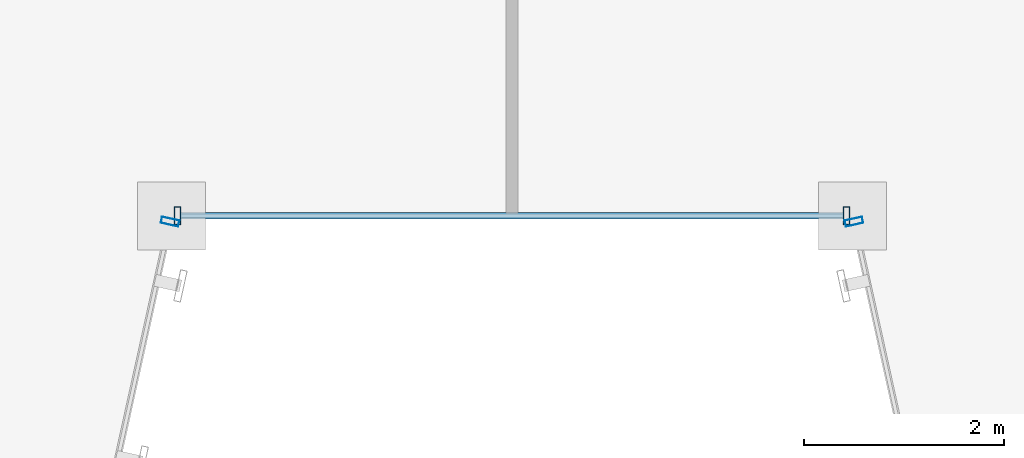
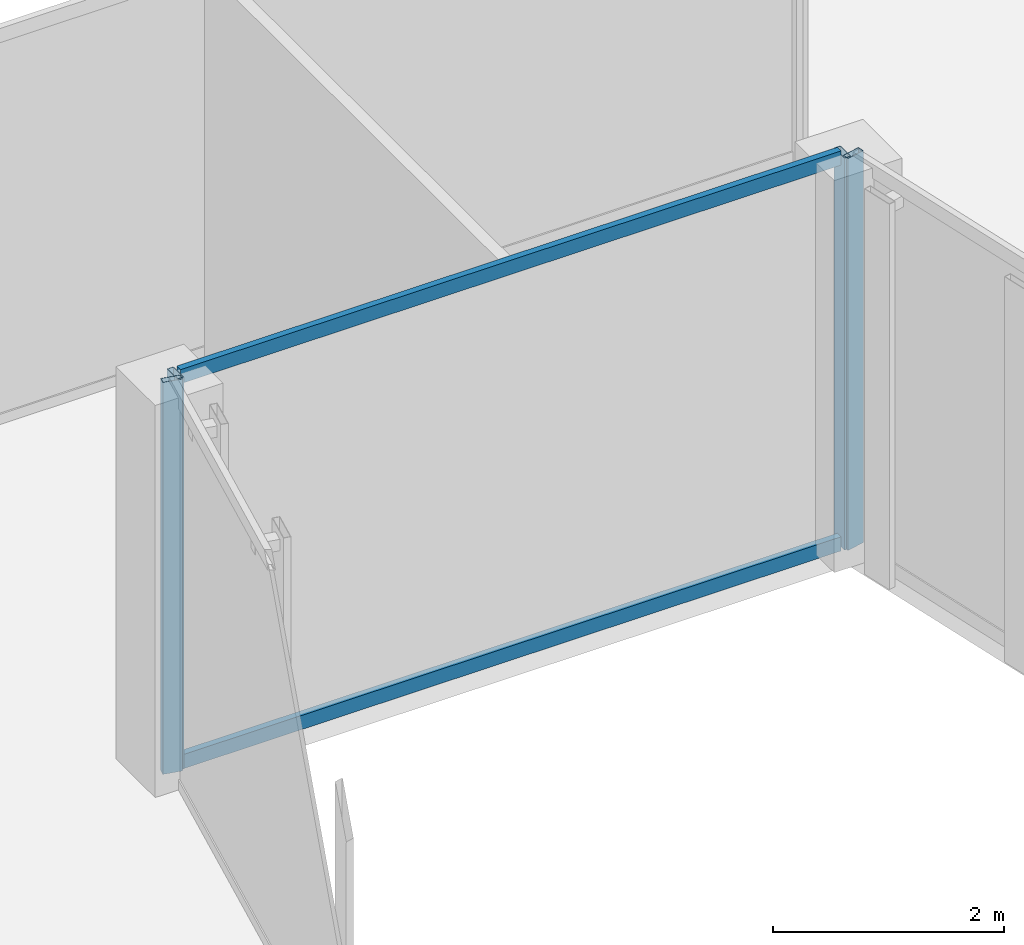
# One storey, part 9 of 47: 6 members, 3 elements without a shape of their own.
"""IFC4 building model written with IfcOpenShell, lengths in metres."""

from ifc_helpers import new_model, si_unit, direction, frame, origin, origin_2d, place, context, subcontext, project, spatial, hollow_rectangle, extrude, material, material_profile, profile_set, type_object, element, aggregate, save


model = new_model("IFC4")

# Units and contexts
model_context = context("Model", 3, precision=1e-05, world=origin(), true_north=direction((0.0, 1.0)))
body_context = subcontext(model_context, "Body", "Model", "MODEL_VIEW")
ifc_project = project(units=[si_unit("LENGTHUNIT", "METRE"), si_unit("AREAUNIT", "SQUARE_METRE"), si_unit("VOLUMEUNIT", "CUBIC_METRE"), si_unit("PLANEANGLEUNIT", "RADIAN"), si_unit("MASSUNIT", "GRAM", prefix="KILO")], contexts=[model_context])

# Site, building, storey
site_placement = place(None, origin())
site = spatial("IfcSite", under=ifc_project, at=site_placement, CompositionType="ELEMENT")
building_placement = place(site_placement, origin())
building = spatial("IfcBuilding", under=site, at=building_placement, Name="Saevonmaru Cultural Tower", CompositionType="ELEMENT")
storey_placement = place(building_placement, frame((0.0, 0.0, 92.800048828125)))
storey = spatial("IfcBuildingStorey", under=building, at=storey_placement, Name="L19", CompositionType="ELEMENT", Elevation=92.800048828125)

# Curtain wall, member
ifc_material = material(Name="Satin Bronze Anodised Aluminium", Category="aluminium")
curtain_wall_type = type_object("IfcCurtainWallType", Name="CW-TYP-A", PredefinedType="NOTDEFINED", material=ifc_material)
curtain_wall_1_placement = place(storey_placement, origin())
curtain_wall_1 = element("IfcCurtainWall", 1, at=curtain_wall_1_placement, inside=storey, type_object=curtain_wall_type, Name="L19 Unitised Curtain Wall E3", PredefinedType="NOTDEFINED")
ifc_material_profile_1 = material_profile(ifc_material, hollow_rectangle(XDim=0.06494140625, YDim=0.179931640625, WallThickness=0.00390625, at=origin_2d()), Name="ALU-MULL-180x65x4")
ifc_profile_set_1 = profile_set([ifc_material_profile_1], Name="Satin Bronze Anodised Aluminium")
member_type_1 = type_object("IfcMemberType", Name="ML-CW-180x65", PredefinedType="MULLION", material=ifc_profile_set_1)
member_1_placement = place(storey_placement, frame((26.587158203125, 15.54150390625, 0.0), z_axis=(0.0, 0.0, 1.0), x_axis=(0.215413319953, 0.976522965212, 0.0)))
member_1 = element("IfcMember", 2, at=member_1_placement, type_object=member_type_1, Name="CW-TW-L19-E3 mullion 2", PredefinedType="MULLION", context=body_context, shape_type="SweptSolid", body=[
    extrude(hollow_rectangle(XDim=0.06494140625, YDim=0.179931640625, WallThickness=0.00390625, at=origin_2d()), origin(), (0.0, 0.0, 1.0), 4.14990234375),
])
aggregate(curtain_wall_1, [member_1])

# Curtain wall, members
curtain_wall_2_placement = place(storey_placement, origin())
curtain_wall_2 = element("IfcCurtainWall", 3, at=curtain_wall_2_placement, inside=storey, type_object=curtain_wall_type, Name="L19 Unitised Curtain Wall E4", PredefinedType="NOTDEFINED")
member_2_placement = place(storey_placement, frame((26.659912109375, 15.60009765625, 0.0), z_axis=(0.0, 0.0, 1.0), x_axis=(1.0, 0.0, 0.0)))
member_2 = element("IfcMember", 4, at=member_2_placement, type_object=member_type_1, Name="CW-TW-L19-E4 mullion 1", PredefinedType="MULLION", context=body_context, shape_type="SweptSolid", body=[
    extrude(hollow_rectangle(XDim=0.06494140625, YDim=0.179931640625, WallThickness=0.00390625, at=origin_2d()), origin(), (0.0, 0.0, 1.0), 4.14990234375),
])
member_3_placement = place(storey_placement, frame((33.340087890625, 15.60009765625, 0.0), z_axis=(0.0, 0.0, 1.0), x_axis=(1.0, 0.0, 0.0)))
member_3 = element("IfcMember", 5, at=member_3_placement, type_object=member_type_1, Name="CW-TW-L19-E4 mullion 2", PredefinedType="MULLION", context=body_context, shape_type="SweptSolid", body=[
    extrude(hollow_rectangle(XDim=0.06494140625, YDim=0.179931640625, WallThickness=0.00390625, at=origin_2d()), origin(), (0.0, 0.0, 1.0), 4.14990234375),
])

# Curtain wall, member
curtain_wall_3_placement = place(storey_placement, origin())
curtain_wall_3 = element("IfcCurtainWall", 6, at=curtain_wall_3_placement, inside=storey, type_object=curtain_wall_type, Name="L19 Unitised Curtain Wall E5", PredefinedType="NOTDEFINED")
member_4_placement = place(storey_placement, frame((33.412841796875, 15.54150390625, 0.0), z_axis=(0.0, 0.0, 1.0), x_axis=(0.215413319953, -0.976522965212, 0.0)))
member_4 = element("IfcMember", 7, at=member_4_placement, type_object=member_type_1, Name="CW-TW-L19-E5 mullion 1", PredefinedType="MULLION", context=body_context, shape_type="SweptSolid", body=[
    extrude(hollow_rectangle(XDim=0.06494140625, YDim=0.179931640625, WallThickness=0.00390625, at=origin_2d()), origin(), (0.0, 0.0, 1.0), 4.14990234375),
])
aggregate(curtain_wall_3, [member_4])

# Member
ifc_material_profile_2 = material_profile(ifc_material, hollow_rectangle(XDim=0.06494140625, YDim=0.14990234375, WallThickness=0.00390625, at=origin_2d()), Name="ALU-TRAN-150x65x4")
ifc_profile_set_2 = profile_set([ifc_material_profile_2], Name="Satin Bronze Anodised Aluminium")
member_type_2 = type_object("IfcMemberType", Name="TR-CW-150x65", PredefinedType="USERDEFINED", material=ifc_profile_set_2)
member_5_placement = place(storey_placement, frame((26.6923828125, 15.60009765625, 0.032470703125), z_axis=(1.0, 0.0, 0.0), x_axis=(0.0, 1.0, 0.0)))
member_5 = element("IfcMember", 8, at=member_5_placement, type_object=member_type_2, Name="CW-TW-L19-E4 transom 1.1", ObjectType="TRANSOM", PredefinedType="USERDEFINED", context=body_context, shape_type="SweptSolid", body=[
    extrude(hollow_rectangle(XDim=0.06494140625, YDim=0.14990234375, WallThickness=0.00390625, at=origin_2d()), origin(), (0.0, 0.0, 1.0), 6.615234375),
])

member_6_placement = place(storey_placement, frame((26.6923828125, 15.60009765625, 4.117431640625), z_axis=(1.0, 0.0, 0.0), x_axis=(0.0, 1.0, 0.0)))
member_6 = element("IfcMember", 9, at=member_6_placement, type_object=member_type_2, Name="CW-TW-L19-E4 transom 1.2", ObjectType="TRANSOM", PredefinedType="USERDEFINED", context=body_context, shape_type="SweptSolid", body=[
    extrude(hollow_rectangle(XDim=0.06494140625, YDim=0.14990234375, WallThickness=0.00390625, at=origin_2d()), origin(), (0.0, 0.0, 1.0), 6.615234375),
])

aggregate(curtain_wall_2, [member_2, member_3, member_5, member_6])

save(model, "model.ifc")
